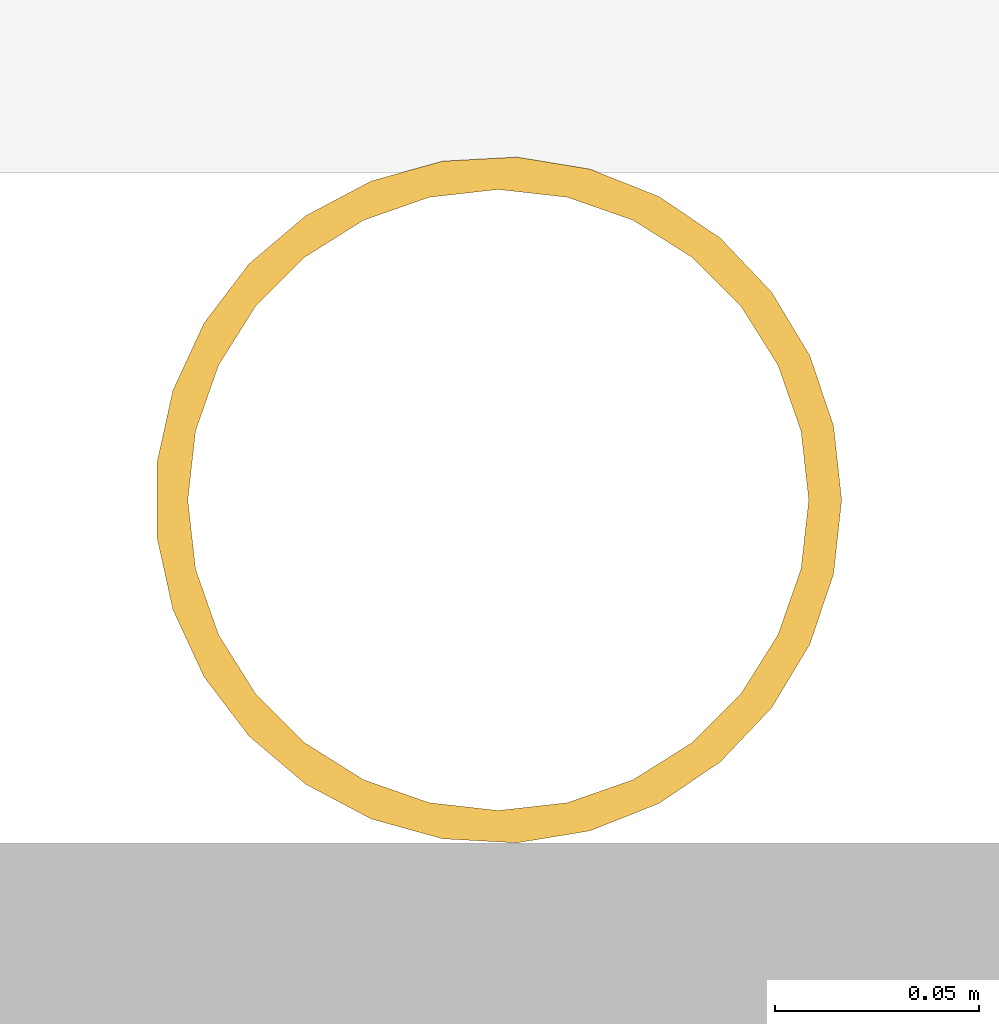
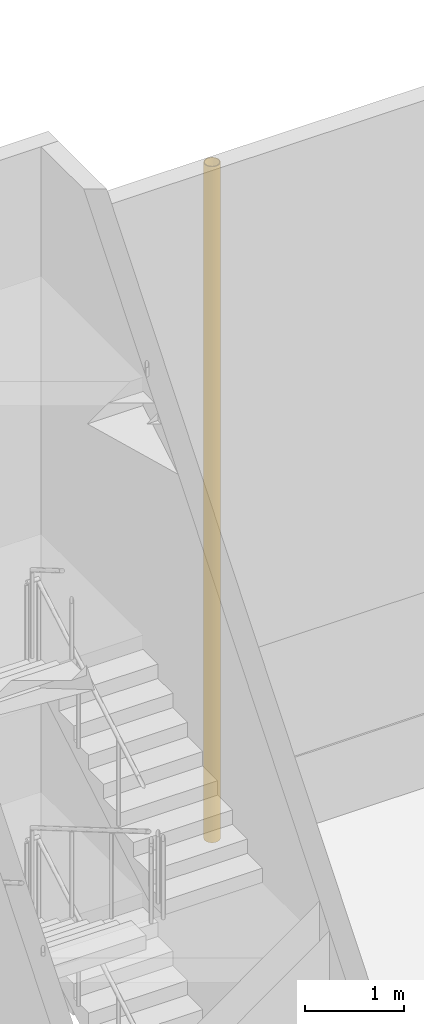
# One storey, part 81 of 114: 1 shading device.
"""IFC4 building model written with IfcOpenShell, lengths in metres."""

import ifcopenshell
import ifcopenshell.guid

model = None  # the IFC model being written
_history = None  # IfcOwnerHistory: only IFC2X3 demands one
_inside = {}  # id of a spatial element -> (the spatial element, [elements in it])
_under = {}  # id of a project, library or spatial element -> (it, [spatial elements below it])
_declared = {}  # id of a project -> (the project, [libraries it declares])
_typed = {}  # id of a type object -> (the type object, [elements of that type])
_made_of = {}  # id of a material, layer set ... -> (it, [elements and type objects made of it])


def new_model(schema):
    """Start an empty IFC model of exactly this schema.

    Asked for "IFC4X3", IfcOpenShell would pick the latest addendum, in which some entities
    have other attributes; the version numbers below select the first issue.
    IFC2X3 requires an IfcOwnerHistory on every rooted entity: one is made here for all.
    """
    global model, _history
    if schema == "IFC4X3":
        model = ifcopenshell.file(schema_version=(4, 3, 0, 0))
    else:
        model = ifcopenshell.file(schema=schema)
    _inside.clear()
    _under.clear()
    _declared.clear()
    _typed.clear()
    _made_of.clear()
    _history = None
    if model.schema == "IFC2X3":
        org = make("IfcOrganization", Name="unknown")
        user = make(
            "IfcPersonAndOrganization",
            ThePerson=make("IfcPerson", FamilyName="unknown"),
            TheOrganization=org,
        )
        app = make(
            "IfcApplication",
            ApplicationDeveloper=org,
            Version="unknown",
            ApplicationFullName="unknown",
            ApplicationIdentifier="unknown",
        )
        _history = make(
            "IfcOwnerHistory",
            OwningUser=user,
            OwningApplication=app,
            ChangeAction="ADDED",
            CreationDate=0,
        )
    return model


def make(cls, **values):
    """One entity of the class cls with the attributes given. An attribute that is None is left unset."""
    return model.create_entity(
        cls, **{name: value for name, value in values.items() if value is not None}
    )


def rooted(cls, **values):
    """An entity with a GlobalId (a new one), such as an element, a storey or a relation."""
    return make(cls, GlobalId=ifcopenshell.guid.new(), OwnerHistory=_history, **values)


def si_unit(unit_type, name, prefix=None):
    """IfcSIUnit, for example si_unit("LENGTHUNIT", "METRE", prefix="MILLI")."""
    return make("IfcSIUnit", UnitType=unit_type, Prefix=prefix, Name=name)


def assignment(units):
    """IfcUnitAssignment: the units of a project."""
    return None if units is None else make("IfcUnitAssignment", Units=units)


def point(xyz):
    """IfcCartesianPoint."""
    return None if xyz is None else make("IfcCartesianPoint", Coordinates=xyz)


def direction(xyz):
    """IfcDirection."""
    return None if xyz is None else make("IfcDirection", DirectionRatios=xyz)


def frame(location, z_axis=None, x_axis=None):
    """IfcAxis2Placement3D, a coordinate frame: its origin and axes. An axis left out is left unset."""
    return make(
        "IfcAxis2Placement3D",
        Location=point(location),
        Axis=direction(z_axis),
        RefDirection=direction(x_axis),
    )


def frame_2d(location, x_axis=None):
    """IfcAxis2Placement2D, a coordinate frame in the plane: its origin and x axis."""
    return make(
        "IfcAxis2Placement2D", Location=point(location), RefDirection=direction(x_axis)
    )


def origin():
    """The frame at (0, 0, 0) with its axes left unset."""
    return frame((0.0, 0.0, 0.0))


def origin_2d():
    """The frame at (0, 0) in the plane with its x axis left unset."""
    return frame_2d((0.0, 0.0))


def place(relative_to, where):
    """IfcLocalPlacement: puts the frame where relative to a parent placement (None: the world)."""
    return make(
        "IfcLocalPlacement", PlacementRelTo=relative_to, RelativePlacement=where
    )


def context(
    kind, dimensions, precision=None, world=None, true_north=None, identifier=None
):
    """IfcGeometricRepresentationContext, for example the 3D "Model" context."""
    return make(
        "IfcGeometricRepresentationContext",
        ContextIdentifier=identifier,
        ContextType=kind,
        CoordinateSpaceDimension=dimensions,
        Precision=precision,
        WorldCoordinateSystem=world,
        TrueNorth=true_north,
    )


def subcontext(parent, identifier, kind, view, scale=None):
    """IfcGeometricRepresentationSubContext, for example "Body" below "Model"."""
    return make(
        "IfcGeometricRepresentationSubContext",
        ContextIdentifier=identifier,
        ContextType=kind,
        ParentContext=parent,
        TargetScale=scale,
        TargetView=view,
    )


def project(units=None, contexts=None):
    """IfcProject with its units and contexts."""
    return rooted(
        "IfcProject",
        Name="project",
        RepresentationContexts=contexts,
        UnitsInContext=assignment(units),
    )


def spatial(cls, under=None, at=None, **own):
    """A site, building, storey or space (cls), placed at a placement, below another one or the project."""
    s = rooted(cls, ObjectPlacement=at, **own)
    if under is not None:
        _under.setdefault(under.id(), (under, []))[1].append(s)
    return s


def profile(cls, at=None, kind="AREA", **sizes):
    """A parametric profile (cls). Its sizes go by their IFC names, for example OverallWidth=200.0."""
    return make(cls, ProfileType=kind, Position=at, **sizes)


def hollow_circle(**sizes):
    """IfcCircleHollowProfileDef."""
    return profile("IfcCircleHollowProfileDef", **sizes)


def extrude(swept, where, along, depth):
    """IfcExtrudedAreaSolid: the profile swept, set in the frame where, extruded along a direction by depth."""
    return make(
        "IfcExtrudedAreaSolid",
        SweptArea=swept,
        Position=where,
        ExtrudedDirection=direction(along),
        Depth=depth,
    )


def shape(context_of_items, identifier, shape_type, items):
    """IfcShapeRepresentation: the items that make up one representation, for example the "Body"."""
    return make(
        "IfcShapeRepresentation",
        ContextOfItems=context_of_items,
        RepresentationIdentifier=identifier,
        RepresentationType=shape_type,
        Items=items,
    )


def material(Name=None, Category=None):
    """IfcMaterial."""
    return make("IfcMaterial", Name=Name, Category=Category)


def material_profile(
    of_material, cross_section, Name=None, Category=None, Priority=None
):
    """IfcMaterialProfile: a cross section and its material."""
    return make(
        "IfcMaterialProfile",
        Name=Name,
        Material=of_material,
        Profile=cross_section,
        Priority=Priority,
        Category=Category,
    )


def profile_set(profiles, Name=None, composite=None):
    """IfcMaterialProfileSet."""
    return make(
        "IfcMaterialProfileSet",
        Name=Name,
        MaterialProfiles=profiles,
        CompositeProfile=composite,
    )


def made_of(thing, what):
    """Note that an element or type object is made of a material, layer set ...; save() writes the relation."""
    if what is not None:
        _made_of.setdefault(what.id(), (what, []))[1].append(thing)
    return thing


def type_object(cls, material=None, **own):
    """A type object (cls), such as IfcWallType, which elements share."""
    return made_of(rooted(cls, **own), material)


def element(
    cls,
    number,
    at=None,
    inside=None,
    cuts=None,
    type_object=None,
    material=None,
    context=None,
    identifier="Body",
    shape_type=None,
    held_by="IfcProductDefinitionShape",
    body=None,
    shapes=None,
    **own,
):
    """One element of the class cls, such as IfcWall. Its Tag is "e" and its number.

    at: its placement. inside: the storey or other place that contains it. cuts: it is an
    opening in that element (IfcRelVoidsElement). A single representation is given by context,
    identifier, shape_type and body (its items); several are given by shapes. held_by: the class
    of the entity that holds the representations. save() writes the other relations.
    """
    e = rooted(cls, Tag="e%d" % number, ObjectPlacement=at, **own)
    if body is not None:
        shapes = [shape(context, identifier, shape_type, body)]
    if shapes is not None:
        e.Representation = make(held_by, Representations=shapes)
    if inside is not None:
        _inside.setdefault(inside.id(), (inside, []))[1].append(e)
    if cuts is not None:
        rooted(
            "IfcRelVoidsElement", RelatingBuildingElement=cuts, RelatedOpeningElement=e
        )
    if type_object is not None:
        _typed.setdefault(type_object.id(), (type_object, []))[1].append(e)
    return made_of(e, material)


def aggregate(whole, parts):
    """IfcRelAggregates: a whole, such as a stair, and the parts it consists of."""
    return rooted("IfcRelAggregates", RelatingObject=whole, RelatedObjects=parts)


def save(model, path):
    """Write the relations noted so far, then the file.

    IfcRelAggregates (storeys below a building ...), IfcRelContainedInSpatialStructure (elements
    in a storey), IfcRelDefinesByType, IfcRelAssociatesMaterial and IfcRelDeclares: one each for
    every whole, place, type object, material and project.
    """
    for whole, parts in _under.values():
        aggregate(whole, parts)
    for where, things in _inside.values():
        rooted(
            "IfcRelContainedInSpatialStructure",
            RelatedElements=things,
            RelatingStructure=where,
        )
    for kind, things in _typed.values():
        rooted("IfcRelDefinesByType", RelatedObjects=things, RelatingType=kind)
    for what, things in _made_of.values():
        rooted("IfcRelAssociatesMaterial", RelatedObjects=things, RelatingMaterial=what)
    for by, libraries in _declared.values():
        rooted("IfcRelDeclares", RelatingContext=by, RelatedDefinitions=libraries)
    model.write(path)


model = new_model("IFC4")

# Units and contexts
model_context = context("Model", 3, precision=1e-05, world=origin(), true_north=direction((0.0, 1.0)))
body_context = subcontext(model_context, "Body", "Model", "MODEL_VIEW")
ifc_project = project(units=[si_unit("LENGTHUNIT", "METRE"), si_unit("AREAUNIT", "SQUARE_METRE"), si_unit("VOLUMEUNIT", "CUBIC_METRE"), si_unit("PLANEANGLEUNIT", "RADIAN"), si_unit("MASSUNIT", "GRAM", prefix="KILO")], contexts=[model_context])

# Site, building, storey
site_placement = place(None, origin())
site = spatial("IfcSite", under=ifc_project, at=site_placement, CompositionType="ELEMENT")
building_placement = place(site_placement, origin())
building = spatial("IfcBuilding", under=site, at=building_placement, Name="Almond Square Museum", CompositionType="ELEMENT")
storey_placement = place(building_placement, frame((0.0, 0.0, 10.5)))
storey = spatial("IfcBuildingStorey", under=building, at=storey_placement, Name="L02", CompositionType="ELEMENT", Elevation=10.5)

# Shading device
ifc_material = material(Name="Structural steel S355", Category="steel")
ifc_material_profile = material_profile(ifc_material, hollow_circle(Radius=0.084228515625, WallThickness=0.008056640625, at=origin_2d()))
ifc_profile_set = profile_set([ifc_material_profile], Name="Structural steel S355")
shading_device_type = type_object("IfcShadingDeviceType", Name="Louvre post CHS 168.3 x 8", PredefinedType="USERDEFINED", material=ifc_profile_set)
shading_device_placement = place(storey_placement, frame((66.8125, 16.994140625, 0.0), z_axis=(0.0, 0.0, 1.0), x_axis=(1.0, 0.0, 0.0)))
element("IfcShadingDevice", 1, at=shading_device_placement, inside=storey, type_object=shading_device_type, Name="Louvre screen post", ObjectType="POST", PredefinedType="USERDEFINED", context=body_context, shape_type="SweptSolid", body=[
    extrude(hollow_circle(Radius=0.084228515625, WallThickness=0.008056640625, at=origin_2d()), origin(), (0.0, 0.0, 1.0), 8.300048828125),
])

save(model, "model.ifc")
